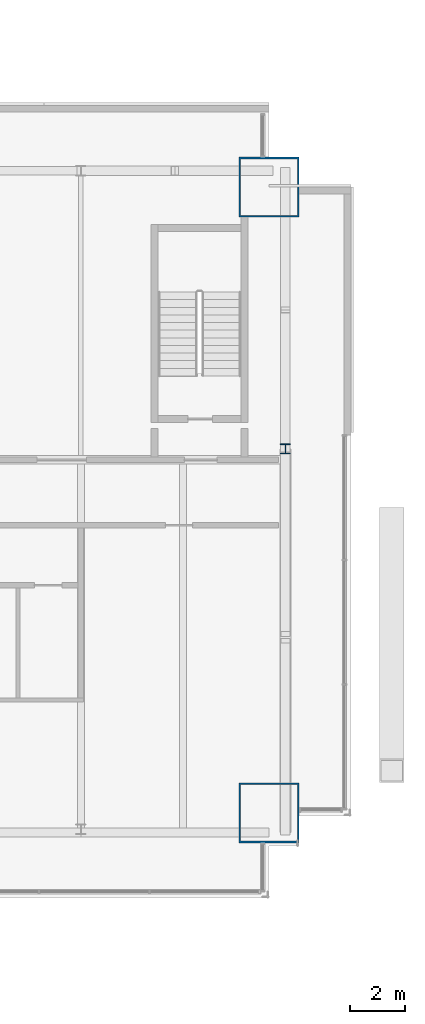
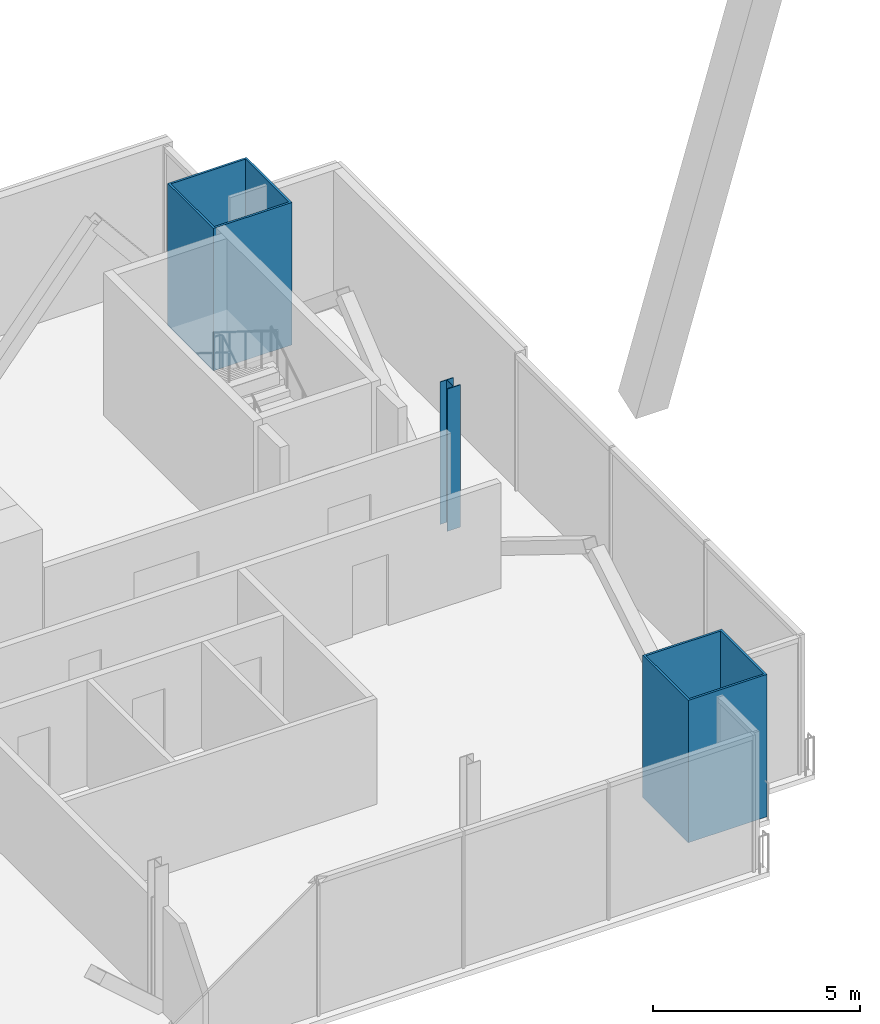
# One storey, part 4 of 23: 3 columns.
"""IFC4 building model written with IfcOpenShell, lengths in metres."""

from ifc_helpers import new_model, si_unit, direction, frame, origin, origin_2d, place, context, subcontext, project, spatial, hollow_rectangle, i_section, extrude, material, material_profile, profile_set, type_object, element, save


model = new_model("IFC4")

# Units and contexts
model_context = context("Model", 3, precision=1e-05, world=origin(), true_north=direction((0.0, 1.0)))
body_context = subcontext(model_context, "Body", "Model", "MODEL_VIEW")
ifc_project = project(units=[si_unit("LENGTHUNIT", "METRE"), si_unit("AREAUNIT", "SQUARE_METRE"), si_unit("VOLUMEUNIT", "CUBIC_METRE"), si_unit("PLANEANGLEUNIT", "RADIAN"), si_unit("MASSUNIT", "GRAM", prefix="KILO")], contexts=[model_context])

# Site, building, storey
site_placement = place(None, origin())
site = spatial("IfcSite", under=ifc_project, at=site_placement, CompositionType="ELEMENT")
building_placement = place(site_placement, origin())
building = spatial("IfcBuilding", under=site, at=building_placement, Name="Bicima Exchange Tower", CompositionType="ELEMENT")
storey_placement = place(building_placement, frame((0.0, 0.0, 262.39990234375)))
storey = spatial("IfcBuildingStorey", under=building, at=storey_placement, Name="L59", CompositionType="ELEMENT", Elevation=262.39990234375)

# Columns
ifc_material_1 = material(Name="Steel ASTM A572 Gr 50", Category="steel")
ifc_material_profile_1 = material_profile(ifc_material_1, hollow_rectangle(XDim=2.199951171875, YDim=2.199951171875, WallThickness=0.06005859375, at=origin_2d()))
ifc_profile_set_1 = profile_set([ifc_material_profile_1], Name="Steel ASTM A572 Gr 50")
column_type_1 = type_object("IfcColumnType", Name="Mega column BOX 2200x2200x60", PredefinedType="COLUMN", material=ifc_profile_set_1)
for number, where, z_axis, x_axis, name in (
    (1, (33.0, -25.946044921875, 0.0), (0.0, 0.0, 1.0), (1.0, 0.0, 0.0), "Mega column mega+33.0f"),
    (2, (33.0, -3.0, 0.0), (0.0, 0.0, 1.0), (1.0, 0.0, 0.0), "Mega column mega+33.0r"),
):
    element("IfcColumn", number, at=place(storey_placement, frame(where, z_axis=z_axis, x_axis=x_axis)), inside=storey, type_object=column_type_1, Name=name, PredefinedType="COLUMN", context=body_context, shape_type="SweptSolid", body=[
        extrude(hollow_rectangle(XDim=2.199951171875, YDim=2.199951171875, WallThickness=0.06005859375, at=origin_2d()), origin(), (0.0, 0.0, 1.0), 4.2001953125),
    ])
ifc_material_2 = material(Name="Steel ASTM A992 Gr 50", Category="steel")
ifc_material_profile_2 = material_profile(ifc_material_2, i_section(OverallWidth=0.370849609375, OverallDepth=0.36328125, WebThickness=0.013427734375, FlangeThickness=0.021728515625, at=origin_2d()))
ifc_profile_set_2 = profile_set([ifc_material_profile_2], Name="Steel ASTM A992 Gr 50")
column_type_2 = type_object("IfcColumnType", Name="Perimeter column W14x109", PredefinedType="COLUMN", material=ifc_profile_set_2)
column_placement = place(storey_placement, frame((33.60009765625, -12.60009765625, 0.0), z_axis=(0.0, 0.0, 1.0), x_axis=(1.0, 0.0, 0.0)))
element("IfcColumn", 3, at=column_placement, inside=storey, type_object=column_type_2, Name="End column end+33.6e", PredefinedType="COLUMN", context=body_context, shape_type="SweptSolid", body=[
    extrude(i_section(OverallWidth=0.370849609375, OverallDepth=0.36328125, WebThickness=0.013427734375, FlangeThickness=0.021728515625, at=origin_2d()), origin(), (0.0, 0.0, 1.0), 4.2001953125),
])

save(model, "model.ifc")
